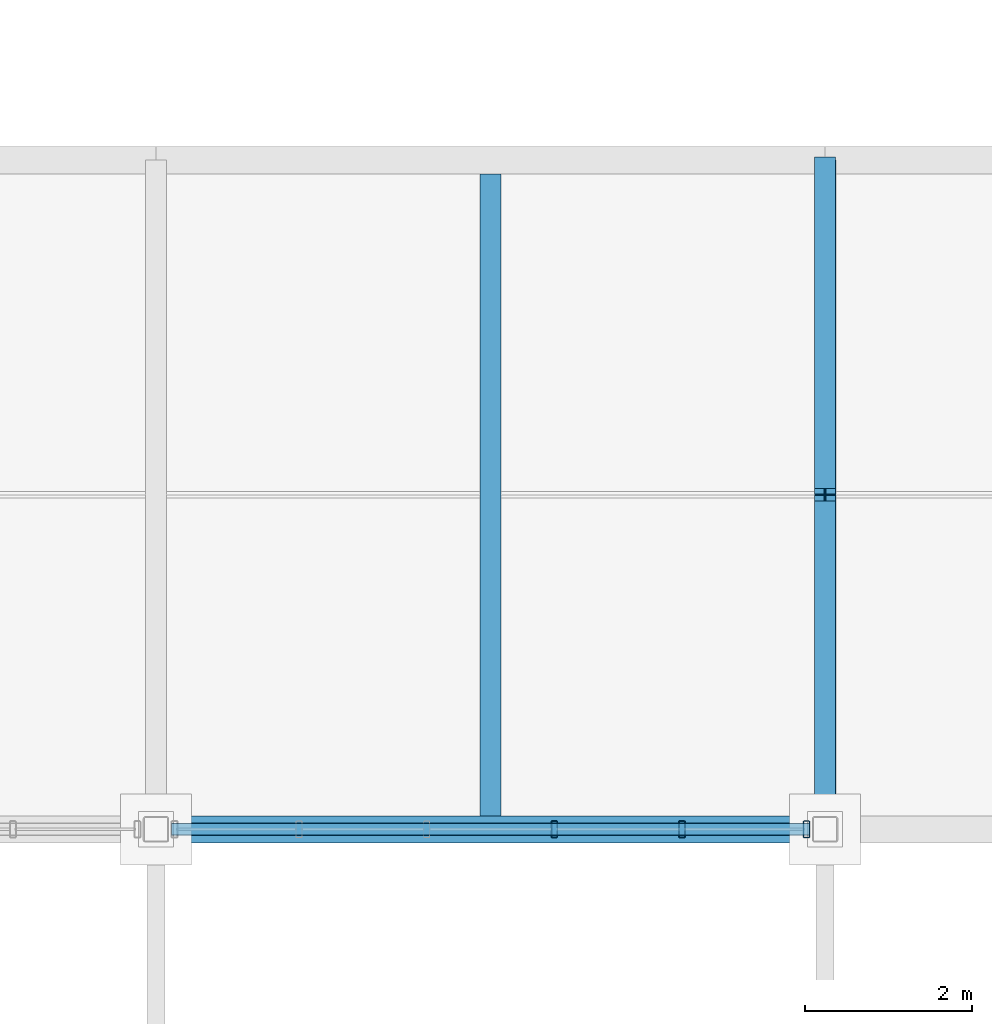
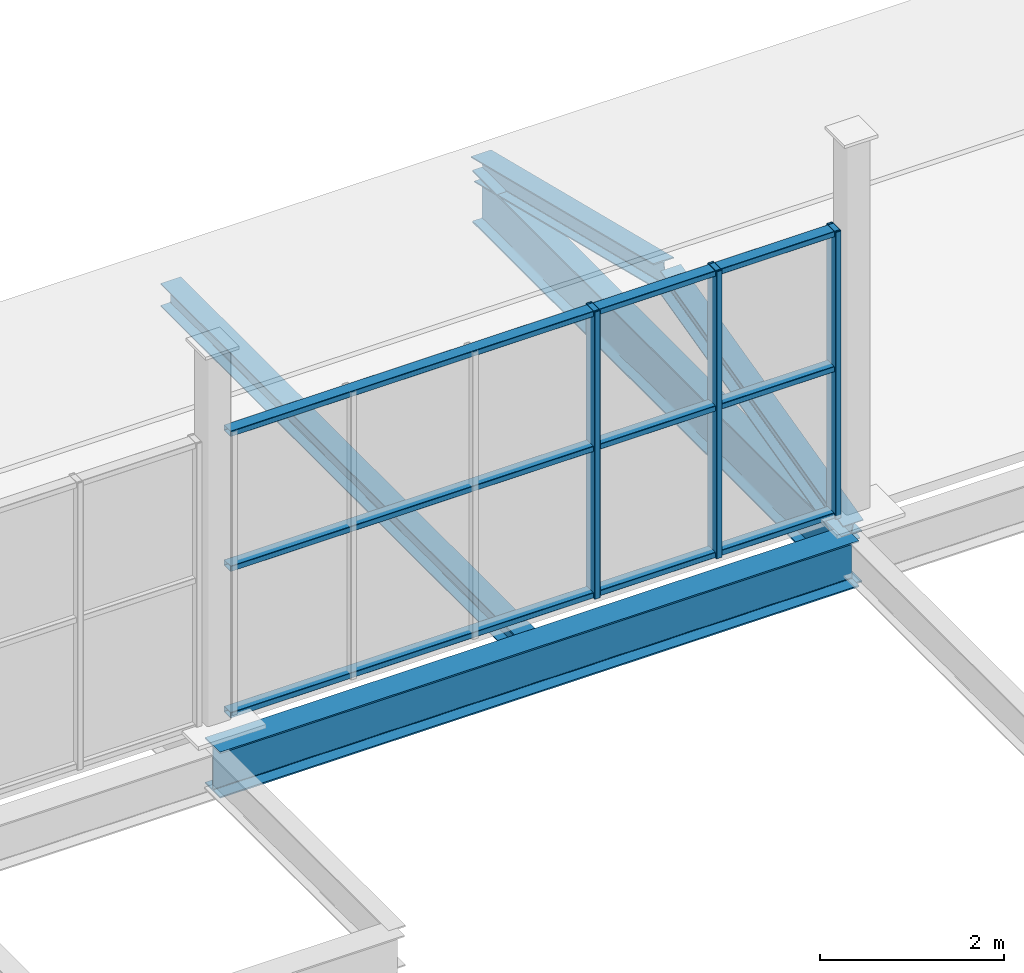
# One storey, part 54 of 96: 8 members, 3 beams, 1 element without a shape of its own.
"""IFC4 building model written with IfcOpenShell, lengths in metres."""

from ifc_helpers import new_model, si_unit, direction, frame, origin, origin_2d, place, context, subcontext, project, spatial, hollow_rectangle, i_section, extrude, material, material_profile, profile_set, type_object, element, aggregate, save


model = new_model("IFC4")

# Units and contexts
model_context = context("Model", 3, precision=1e-05, world=origin(), true_north=direction((0.0, 1.0)))
body_context = subcontext(model_context, "Body", "Model", "MODEL_VIEW")
ifc_project = project(units=[si_unit("LENGTHUNIT", "METRE"), si_unit("AREAUNIT", "SQUARE_METRE"), si_unit("VOLUMEUNIT", "CUBIC_METRE"), si_unit("PLANEANGLEUNIT", "RADIAN"), si_unit("MASSUNIT", "GRAM", prefix="KILO")], contexts=[model_context])

# Site, building, storey
site_placement = place(None, origin())
site = spatial("IfcSite", under=ifc_project, at=site_placement, CompositionType="ELEMENT")
building_placement = place(site_placement, origin())
building = spatial("IfcBuilding", under=site, at=building_placement, Name="Verrall Gate Interchange", CompositionType="ELEMENT")
storey_placement = place(building_placement, frame((0.0, 0.0, 11.39990234375)))
storey = spatial("IfcBuildingStorey", under=building, at=storey_placement, Name="L03", CompositionType="ELEMENT", Elevation=11.39990234375)

# Beams
ifc_material_1 = material(Name="Structural Steel CSA G40.21 350WT Cat 4", Category="steel")
ifc_material_profile_1 = material_profile(ifc_material_1, i_section(OverallWidth=0.256103515625, OverallDepth=0.693115234375, WebThickness=0.01318359375, FlangeThickness=0.02001953125, FilletRadius=0.01611328125, at=origin_2d()), Name="W690x170")
ifc_profile_set_1 = profile_set([ifc_material_profile_1], Name="Structural Steel CSA G40.21 350WT Cat 4")
beam_type_1 = type_object("IfcBeamType", Name="B-07 Structural Beam W690x170", PredefinedType="BEAM", material=ifc_profile_set_1)
beam_1_placement = place(storey_placement, frame((108.0, 48.0, -0.676513671875), z_axis=(0.0, 1.0, 0.0), x_axis=(-1.0, 0.0, 0.0)))
element("IfcBeam", 1, at=beam_1_placement, inside=storey, type_object=beam_type_1, Name="L03 Girder BM-L03-2320 (B-07)", PredefinedType="BEAM", context=body_context, shape_type="SweptSolid", body=[
    extrude(i_section(OverallWidth=0.256103515625, OverallDepth=0.693115234375, WebThickness=0.01318359375, FlangeThickness=0.02001953125, FilletRadius=0.01611328125, at=origin_2d()), origin(), (0.0, 0.0, 1.0), 8.0),
])
ifc_material_2 = material(Name="Structural Steel CSA G40.21 350WT Cat 4", Category="steel")
ifc_material_profile_2 = material_profile(ifc_material_2, i_section(OverallWidth=0.323974609375, OverallDepth=0.611083984375, WebThickness=0.0126953125, FlangeThickness=0.01904296875, FilletRadius=0.014892578125, at=origin_2d()), Name="W610x155")
ifc_profile_set_2 = profile_set([ifc_material_profile_2], Name="Structural Steel CSA G40.21 350WT Cat 4")
beam_type_2 = type_object("IfcBeamType", Name="B-08 Structural Beam W610x155", PredefinedType="BEAM", material=ifc_profile_set_2)
beam_2_placement = place(storey_placement, frame((100.0, 48.0, -0.635498046875), z_axis=(1.0, 0.0, 0.0), x_axis=(0.0, 1.0, 0.0)))
element("IfcBeam", 2, at=beam_2_placement, inside=storey, type_object=beam_type_2, Name="L03 Girder BM-L03-2118 (B-08)", PredefinedType="BEAM", context=body_context, shape_type="SweptSolid", body=[
    extrude(i_section(OverallWidth=0.323974609375, OverallDepth=0.611083984375, WebThickness=0.0126953125, FlangeThickness=0.01904296875, FilletRadius=0.014892578125, at=origin_2d()), origin(), (0.0, 0.0, 1.0), 8.0),
])

# Curtain wall, members
ifc_material_3 = material(Name="Thermally Broken Anodized Aluminium Curtain Wall Framing", Category="aluminium")
curtain_wall_type = type_object("IfcCurtainWallType", Name="CW-53 Unitized Curtain Wall 7631x3800", PredefinedType="NOTDEFINED", material=ifc_material_3)
curtain_wall_placement = place(storey_placement, origin())
curtain_wall = element("IfcCurtainWall", 3, at=curtain_wall_placement, inside=storey, type_object=curtain_wall_type, Name="L03 Unitized Curtain Wall CW-L03-CLR-181", PredefinedType="NOTDEFINED")
ifc_material_4 = material(Name="Thermally Broken Anodized Aluminium Curtain Wall Framing", Category="aluminium")
ifc_material_profile_3 = material_profile(ifc_material_4, hollow_rectangle(XDim=0.074951171875, YDim=0.199951171875, WallThickness=0.0048828125, InnerFilletRadius=0.0048828125, OuterFilletRadius=0.010009765625, at=origin_2d()), Name="CWM200x75x5")
ifc_profile_set_3 = profile_set([ifc_material_profile_3], Name="Thermally Broken Anodized Aluminium Curtain Wall Framing")
member_type_1 = type_object("IfcMemberType", Name="CM-02 Curtain Mullion CWM200x75x5", PredefinedType="MULLION", material=ifc_profile_set_3)
member_1_placement = place(storey_placement, frame((104.76318359375, 48.0, 0.0), z_axis=(0.0, 0.0, 1.0), x_axis=(1.0, 0.0, 0.0)))
member_1 = element("IfcMember", 4, at=member_1_placement, type_object=member_type_1, Name="CW-L03-CLR-181 Mullion 4", PredefinedType="MULLION", context=body_context, shape_type="SweptSolid", body=[
    extrude(hollow_rectangle(XDim=0.074951171875, YDim=0.199951171875, WallThickness=0.0048828125, InnerFilletRadius=0.0048828125, OuterFilletRadius=0.010009765625, at=origin_2d()), origin(), (0.0, 0.0, 1.0), 3.800048828125),
])
member_2_placement = place(storey_placement, frame((106.289306640625, 48.0, 0.0), z_axis=(0.0, 0.0, 1.0), x_axis=(1.0, 0.0, 0.0)))
member_2 = element("IfcMember", 5, at=member_2_placement, type_object=member_type_1, Name="CW-L03-CLR-181 Mullion 5", PredefinedType="MULLION", context=body_context, shape_type="SweptSolid", body=[
    extrude(hollow_rectangle(XDim=0.074951171875, YDim=0.199951171875, WallThickness=0.0048828125, InnerFilletRadius=0.0048828125, OuterFilletRadius=0.010009765625, at=origin_2d()), origin(), (0.0, 0.0, 1.0), 3.800048828125),
])
member_3_placement = place(storey_placement, frame((107.778076171875, 48.0, 0.0), z_axis=(0.0, 0.0, 1.0), x_axis=(1.0, 0.0, 0.0)))
member_3 = element("IfcMember", 6, at=member_3_placement, type_object=member_type_1, Name="CW-L03-CLR-181 Mullion 6", PredefinedType="MULLION", context=body_context, shape_type="SweptSolid", body=[
    extrude(hollow_rectangle(XDim=0.074951171875, YDim=0.199951171875, WallThickness=0.0048828125, InnerFilletRadius=0.0048828125, OuterFilletRadius=0.010009765625, at=origin_2d()), origin(), (0.0, 0.0, 1.0), 3.800048828125),
])
ifc_material_5 = material(Name="Thermally Broken Anodized Aluminium Curtain Wall Framing", Category="aluminium")
ifc_material_profile_4 = material_profile(ifc_material_5, hollow_rectangle(XDim=0.14990234375, YDim=0.074951171875, WallThickness=0.00439453125, InnerFilletRadius=0.00439453125, OuterFilletRadius=0.009033203125, at=origin_2d()), Name="CWT150x75x4.5")
ifc_profile_set_4 = profile_set([ifc_material_profile_4], Name="Thermally Broken Anodized Aluminium Curtain Wall Framing")
member_type_2 = type_object("IfcMemberType", Name="CT-02 Curtain Transom CWT150x75x4.5", PredefinedType="USERDEFINED", material=ifc_profile_set_4)
member_4_placement = place(storey_placement, frame((100.1845703125, 48.0, 0.03759765625), z_axis=(1.0, 0.0, 0.0), x_axis=(0.0, 1.0, 0.0)))
member_4 = element("IfcMember", 7, at=member_4_placement, type_object=member_type_2, Name="CW-L03-CLR-181 Transom 1", ObjectType="TRANSOM", PredefinedType="USERDEFINED", context=body_context, shape_type="SweptSolid", body=[
    extrude(hollow_rectangle(XDim=0.14990234375, YDim=0.074951171875, WallThickness=0.00439453125, InnerFilletRadius=0.00439453125, OuterFilletRadius=0.009033203125, at=origin_2d()), origin(), (0.0, 0.0, 1.0), 7.630859375),
])
member_5_placement = place(storey_placement, frame((100.1845703125, 48.0, 1.97607421875), z_axis=(1.0, 0.0, 0.0), x_axis=(0.0, 1.0, 0.0)))
member_5 = element("IfcMember", 8, at=member_5_placement, type_object=member_type_2, Name="CW-L03-CLR-181 Transom 2", ObjectType="TRANSOM", PredefinedType="USERDEFINED", context=body_context, shape_type="SweptSolid", body=[
    extrude(hollow_rectangle(XDim=0.14990234375, YDim=0.074951171875, WallThickness=0.00439453125, InnerFilletRadius=0.00439453125, OuterFilletRadius=0.009033203125, at=origin_2d()), origin(), (0.0, 0.0, 1.0), 7.630859375),
])
member_6_placement = place(storey_placement, frame((100.1845703125, 48.0, 3.7626953125), z_axis=(1.0, 0.0, 0.0), x_axis=(0.0, 1.0, 0.0)))
member_6 = element("IfcMember", 9, at=member_6_placement, type_object=member_type_2, Name="CW-L03-CLR-181 Transom 3", ObjectType="TRANSOM", PredefinedType="USERDEFINED", context=body_context, shape_type="SweptSolid", body=[
    extrude(hollow_rectangle(XDim=0.14990234375, YDim=0.074951171875, WallThickness=0.00439453125, InnerFilletRadius=0.00439453125, OuterFilletRadius=0.009033203125, at=origin_2d()), origin(), (0.0, 0.0, 1.0), 7.630859375),
])
aggregate(curtain_wall, [member_1, member_2, member_3, member_4, member_5, member_6])

# Beam
ifc_material_6 = material(Name="Structural Steel CSA G40.21 350W", Category="steel")
ifc_material_profile_5 = material_profile(ifc_material_6, i_section(OverallWidth=0.25390625, OverallDepth=0.305908203125, WebThickness=0.0087890625, FlangeThickness=0.0146484375, FilletRadius=0.012939453125, at=origin_2d()), Name="W310x79")
ifc_profile_set_5 = profile_set([ifc_material_profile_5], Name="Structural Steel CSA G40.21 350W")
beam_type_3 = type_object("IfcBeamType", Name="J-03 Floor Joist W310x79", PredefinedType="JOIST", material=ifc_profile_set_5)
beam_3_placement = place(storey_placement, frame((104.0, 48.162109375, -0.48291015625), z_axis=(0.0, 1.0, 0.0), x_axis=(-1.0, 0.0, 0.0)))
element("IfcBeam", 10, at=beam_3_placement, inside=storey, type_object=beam_type_3, Name="L03 Secondary Floor Joist JST-L03-2491", PredefinedType="JOIST", context=body_context, shape_type="SweptSolid", body=[
    extrude(i_section(OverallWidth=0.25390625, OverallDepth=0.305908203125, WebThickness=0.0087890625, FlangeThickness=0.0146484375, FilletRadius=0.012939453125, at=origin_2d()), origin(), (0.0, 0.0, 1.0), 7.67578125),
])

# Members
ifc_material_7 = material(Name="Structural Steel CSA G40.21 350WT Cat 4", Category="steel")
ifc_material_profile_6 = material_profile(ifc_material_7, i_section(OverallWidth=0.25390625, OverallDepth=0.305908203125, WebThickness=0.0087890625, FlangeThickness=0.0146484375, FilletRadius=0.012939453125, at=origin_2d()), Name="W310x79")
ifc_profile_set_6 = profile_set([ifc_material_profile_6], Name="Structural Steel CSA G40.21 350WT Cat 4")
member_type_3 = type_object("IfcMemberType", Name="RF-03 Folded Roof Rafter W310x79", PredefinedType="RAFTER", material=ifc_profile_set_6)
for number, where, z_axis, x_axis, name in (
    (11, (108.0, 48.0, -0.31982421875), (0.0, 0.970717098228, 0.240225550696), (-1.0, 0.0, 0.0), "Gallery Roof Rafter S 108"),
    (12, (108.0, 56.0, -0.31982421875), (0.0, -0.970717098228, 0.240225550696), (1.0, 0.0, 0.0), "Gallery Roof Rafter N 108"),
):
    element("IfcMember", number, at=place(storey_placement, frame(where, z_axis=z_axis, x_axis=x_axis)), inside=storey, type_object=member_type_3, Name=name, PredefinedType="RAFTER", context=body_context, shape_type="SweptSolid", body=[
        extrude(i_section(OverallWidth=0.25390625, OverallDepth=0.305908203125, WebThickness=0.0087890625, FlangeThickness=0.0146484375, FilletRadius=0.012939453125, at=origin_2d()), origin(), (0.0, 0.0, 1.0), 4.079345703125),
    ])

save(model, "model.ifc")
